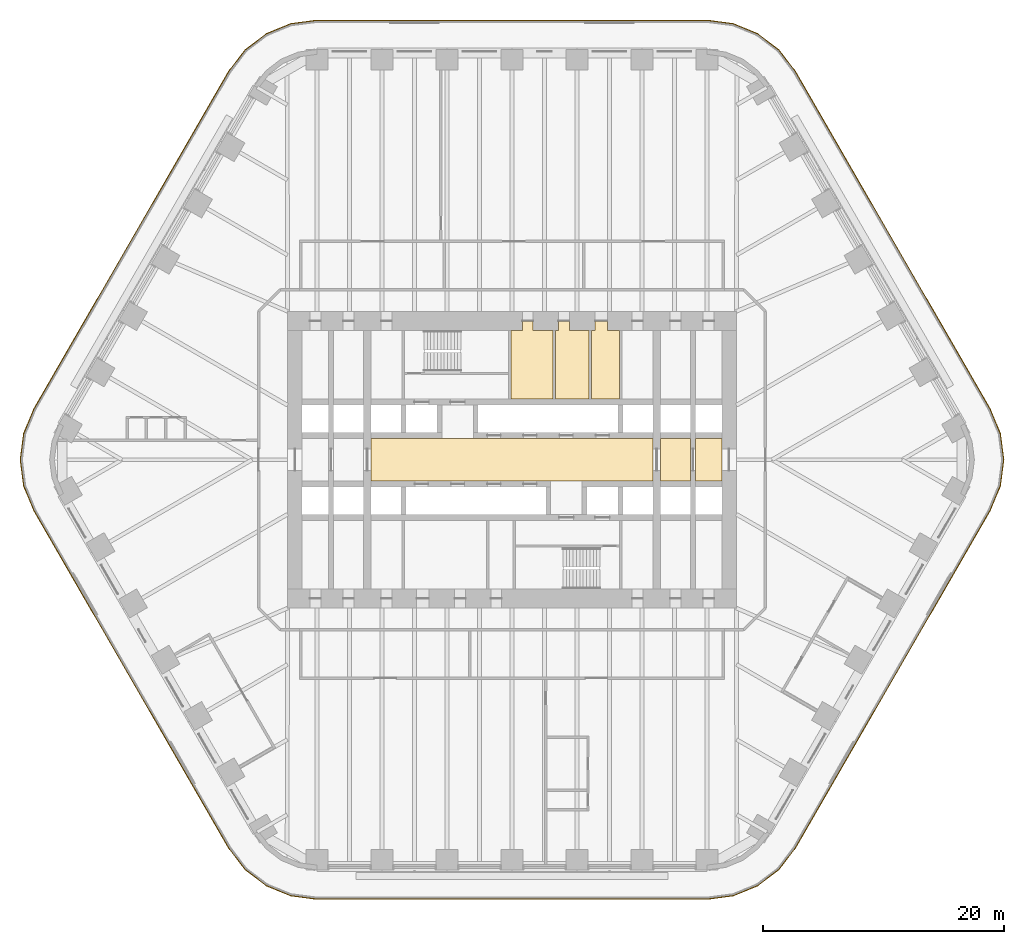
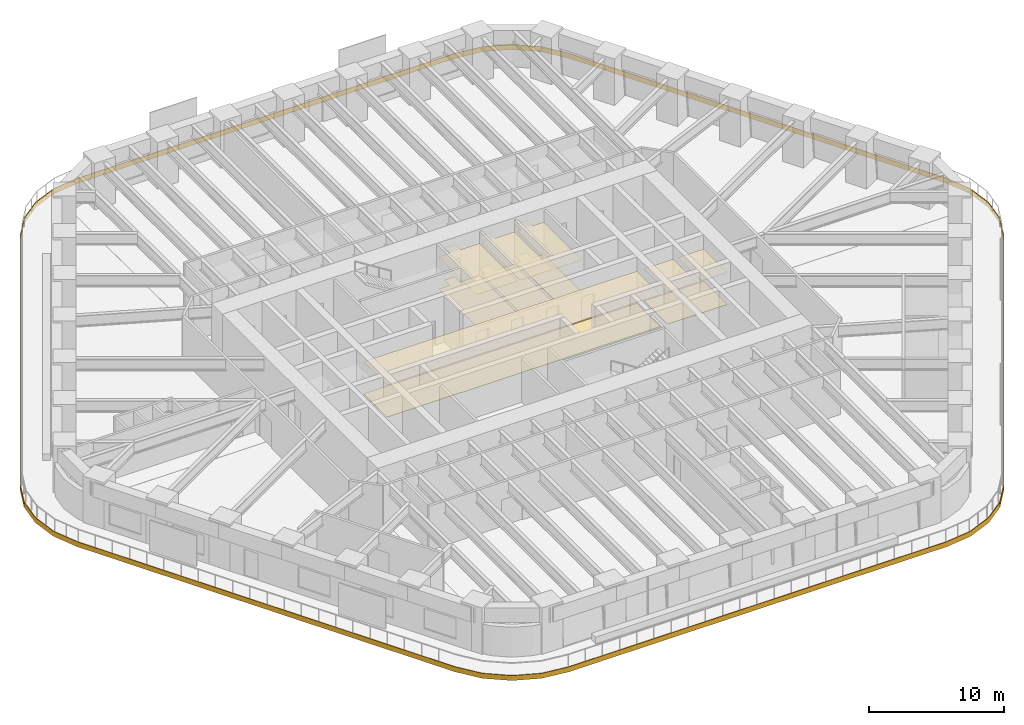
# One storey, part 22 of 23: 13 coverings.
"""IFC4 building model written with IfcOpenShell, lengths in metres."""

import ifcopenshell
import ifcopenshell.guid

model = None  # the IFC model being written
_history = None  # IfcOwnerHistory: only IFC2X3 demands one
_inside = {}  # id of a spatial element -> (the spatial element, [elements in it])
_under = {}  # id of a project, library or spatial element -> (it, [spatial elements below it])
_declared = {}  # id of a project -> (the project, [libraries it declares])
_typed = {}  # id of a type object -> (the type object, [elements of that type])
_made_of = {}  # id of a material, layer set ... -> (it, [elements and type objects made of it])


def new_model(schema):
    """Start an empty IFC model of exactly this schema.

    Asked for "IFC4X3", IfcOpenShell would pick the latest addendum, in which some entities
    have other attributes; the version numbers below select the first issue.
    IFC2X3 requires an IfcOwnerHistory on every rooted entity: one is made here for all.
    """
    global model, _history
    if schema == "IFC4X3":
        model = ifcopenshell.file(schema_version=(4, 3, 0, 0))
    else:
        model = ifcopenshell.file(schema=schema)
    _inside.clear()
    _under.clear()
    _declared.clear()
    _typed.clear()
    _made_of.clear()
    _history = None
    if model.schema == "IFC2X3":
        org = make("IfcOrganization", Name="unknown")
        user = make(
            "IfcPersonAndOrganization",
            ThePerson=make("IfcPerson", FamilyName="unknown"),
            TheOrganization=org,
        )
        app = make(
            "IfcApplication",
            ApplicationDeveloper=org,
            Version="unknown",
            ApplicationFullName="unknown",
            ApplicationIdentifier="unknown",
        )
        _history = make(
            "IfcOwnerHistory",
            OwningUser=user,
            OwningApplication=app,
            ChangeAction="ADDED",
            CreationDate=0,
        )
    return model


def make(cls, **values):
    """One entity of the class cls with the attributes given. An attribute that is None is left unset."""
    return model.create_entity(
        cls, **{name: value for name, value in values.items() if value is not None}
    )


def rooted(cls, **values):
    """An entity with a GlobalId (a new one), such as an element, a storey or a relation."""
    return make(cls, GlobalId=ifcopenshell.guid.new(), OwnerHistory=_history, **values)


def si_unit(unit_type, name, prefix=None):
    """IfcSIUnit, for example si_unit("LENGTHUNIT", "METRE", prefix="MILLI")."""
    return make("IfcSIUnit", UnitType=unit_type, Prefix=prefix, Name=name)


def assignment(units):
    """IfcUnitAssignment: the units of a project."""
    return None if units is None else make("IfcUnitAssignment", Units=units)


def point(xyz):
    """IfcCartesianPoint."""
    return None if xyz is None else make("IfcCartesianPoint", Coordinates=xyz)


def direction(xyz):
    """IfcDirection."""
    return None if xyz is None else make("IfcDirection", DirectionRatios=xyz)


def frame(location, z_axis=None, x_axis=None):
    """IfcAxis2Placement3D, a coordinate frame: its origin and axes. An axis left out is left unset."""
    return make(
        "IfcAxis2Placement3D",
        Location=point(location),
        Axis=direction(z_axis),
        RefDirection=direction(x_axis),
    )


def origin():
    """The frame at (0, 0, 0) with its axes left unset."""
    return frame((0.0, 0.0, 0.0))


def place(relative_to, where):
    """IfcLocalPlacement: puts the frame where relative to a parent placement (None: the world)."""
    return make(
        "IfcLocalPlacement", PlacementRelTo=relative_to, RelativePlacement=where
    )


def context(
    kind, dimensions, precision=None, world=None, true_north=None, identifier=None
):
    """IfcGeometricRepresentationContext, for example the 3D "Model" context."""
    return make(
        "IfcGeometricRepresentationContext",
        ContextIdentifier=identifier,
        ContextType=kind,
        CoordinateSpaceDimension=dimensions,
        Precision=precision,
        WorldCoordinateSystem=world,
        TrueNorth=true_north,
    )


def subcontext(parent, identifier, kind, view, scale=None):
    """IfcGeometricRepresentationSubContext, for example "Body" below "Model"."""
    return make(
        "IfcGeometricRepresentationSubContext",
        ContextIdentifier=identifier,
        ContextType=kind,
        ParentContext=parent,
        TargetScale=scale,
        TargetView=view,
    )


def project(units=None, contexts=None):
    """IfcProject with its units and contexts."""
    return rooted(
        "IfcProject",
        Name="project",
        RepresentationContexts=contexts,
        UnitsInContext=assignment(units),
    )


def spatial(cls, under=None, at=None, **own):
    """A site, building, storey or space (cls), placed at a placement, below another one or the project."""
    s = rooted(cls, ObjectPlacement=at, **own)
    if under is not None:
        _under.setdefault(under.id(), (under, []))[1].append(s)
    return s


def polyline(points):
    """IfcPolyline through the points."""
    return make("IfcPolyline", Points=[point(p) for p in points])


def outline(outer, holes=None, kind="AREA"):
    """IfcArbitraryClosedProfileDef: a profile drawn as a closed curve; with holes, ...WithVoids."""
    if holes is None:
        return make("IfcArbitraryClosedProfileDef", ProfileType=kind, OuterCurve=outer)
    return make(
        "IfcArbitraryProfileDefWithVoids",
        ProfileType=kind,
        OuterCurve=outer,
        InnerCurves=holes,
    )


def extrude(swept, where, along, depth):
    """IfcExtrudedAreaSolid: the profile swept, set in the frame where, extruded along a direction by depth."""
    return make(
        "IfcExtrudedAreaSolid",
        SweptArea=swept,
        Position=where,
        ExtrudedDirection=direction(along),
        Depth=depth,
    )


def shape(context_of_items, identifier, shape_type, items):
    """IfcShapeRepresentation: the items that make up one representation, for example the "Body"."""
    return make(
        "IfcShapeRepresentation",
        ContextOfItems=context_of_items,
        RepresentationIdentifier=identifier,
        RepresentationType=shape_type,
        Items=items,
    )


def material(Name=None, Category=None):
    """IfcMaterial."""
    return make("IfcMaterial", Name=Name, Category=Category)


def layer(
    of_material, thickness, ventilated=None, Name=None, Category=None, Priority=None
):
    """IfcMaterialLayer: one layer of a wall or slab, of a material (None: an air gap)."""
    return make(
        "IfcMaterialLayer",
        Material=of_material,
        LayerThickness=thickness,
        IsVentilated=ventilated,
        Name=Name,
        Category=Category,
        Priority=Priority,
    )


def layer_set(layers, Name=None):
    """IfcMaterialLayerSet."""
    return make("IfcMaterialLayerSet", MaterialLayers=layers, LayerSetName=Name)


def made_of(thing, what):
    """Note that an element or type object is made of a material, layer set ...; save() writes the relation."""
    if what is not None:
        _made_of.setdefault(what.id(), (what, []))[1].append(thing)
    return thing


def type_object(cls, material=None, **own):
    """A type object (cls), such as IfcWallType, which elements share."""
    return made_of(rooted(cls, **own), material)


def element(
    cls,
    number,
    at=None,
    inside=None,
    cuts=None,
    type_object=None,
    material=None,
    context=None,
    identifier="Body",
    shape_type=None,
    held_by="IfcProductDefinitionShape",
    body=None,
    shapes=None,
    **own,
):
    """One element of the class cls, such as IfcWall. Its Tag is "e" and its number.

    at: its placement. inside: the storey or other place that contains it. cuts: it is an
    opening in that element (IfcRelVoidsElement). A single representation is given by context,
    identifier, shape_type and body (its items); several are given by shapes. held_by: the class
    of the entity that holds the representations. save() writes the other relations.
    """
    e = rooted(cls, Tag="e%d" % number, ObjectPlacement=at, **own)
    if body is not None:
        shapes = [shape(context, identifier, shape_type, body)]
    if shapes is not None:
        e.Representation = make(held_by, Representations=shapes)
    if inside is not None:
        _inside.setdefault(inside.id(), (inside, []))[1].append(e)
    if cuts is not None:
        rooted(
            "IfcRelVoidsElement", RelatingBuildingElement=cuts, RelatedOpeningElement=e
        )
    if type_object is not None:
        _typed.setdefault(type_object.id(), (type_object, []))[1].append(e)
    return made_of(e, material)


def aggregate(whole, parts):
    """IfcRelAggregates: a whole, such as a stair, and the parts it consists of."""
    return rooted("IfcRelAggregates", RelatingObject=whole, RelatedObjects=parts)


def save(model, path):
    """Write the relations noted so far, then the file.

    IfcRelAggregates (storeys below a building ...), IfcRelContainedInSpatialStructure (elements
    in a storey), IfcRelDefinesByType, IfcRelAssociatesMaterial and IfcRelDeclares: one each for
    every whole, place, type object, material and project.
    """
    for whole, parts in _under.values():
        aggregate(whole, parts)
    for where, things in _inside.values():
        rooted(
            "IfcRelContainedInSpatialStructure",
            RelatedElements=things,
            RelatingStructure=where,
        )
    for kind, things in _typed.values():
        rooted("IfcRelDefinesByType", RelatedObjects=things, RelatingType=kind)
    for what, things in _made_of.values():
        rooted("IfcRelAssociatesMaterial", RelatedObjects=things, RelatingMaterial=what)
    for by, libraries in _declared.values():
        rooted("IfcRelDeclares", RelatingContext=by, RelatedDefinitions=libraries)
    model.write(path)


model = new_model("IFC4")

# Units and contexts
model_context = context("Model", 3, precision=1e-05, world=origin(), true_north=direction((0.0, 1.0)))
body_context = subcontext(model_context, "Body", "Model", "MODEL_VIEW")
ifc_project = project(units=[si_unit("LENGTHUNIT", "METRE"), si_unit("AREAUNIT", "SQUARE_METRE"), si_unit("VOLUMEUNIT", "CUBIC_METRE"), si_unit("PLANEANGLEUNIT", "RADIAN"), si_unit("MASSUNIT", "GRAM", prefix="KILO")], contexts=[model_context])

# Site, building, storey
site_placement = place(None, origin())
site = spatial("IfcSite", under=ifc_project, at=site_placement, CompositionType="ELEMENT")
building_placement = place(site_placement, origin())
building = spatial("IfcBuilding", under=site, at=building_placement, Name="Tarfa Lantern Tower", CompositionType="ELEMENT")
storey_placement = place(building_placement, frame((0.0, 0.0, 86.5)))
storey = spatial("IfcBuildingStorey", under=building, at=storey_placement, Name="L19", CompositionType="ELEMENT", Elevation=86.5)

# Coverings
ifc_material_1 = material(Name="Moisture-resistant plasterboard", Category="finish")
ifc_layer_1 = layer(ifc_material_1, 0.014892578125)
ifc_layer_set_1 = layer_set([ifc_layer_1], Name="CL2 MOISTURE-RESISTANT PLASTERBOARD CEILING 15")
covering_type_1 = type_object("IfcCoveringType", Name="CL2 MOISTURE-RESISTANT PLASTERBOARD CEILING 15", PredefinedType="CEILING", material=ifc_layer_set_1)
covering_1_placement = place(storey_placement, frame((0.0, 0.0, 2.89990234375)))
element("IfcCovering", 1, at=covering_1_placement, inside=storey, type_object=covering_type_1, Name="Ceiling L19-09", PredefinedType="CEILING", context=body_context, shape_type="SweptSolid", body=[
    extrude(outline(polyline([(0.85009765625, 10.699951171875), (-0.10009765625, 10.699951171875), (-0.10009765625, 5.050048828125), (3.39990234375, 5.050048828125), (3.39990234375, 10.699951171875), (1.75, 10.699951171875), (1.75, 11.5), (0.85009765625, 11.5), (0.85009765625, 11.5), (0.85009765625, 10.699951171875)])), origin(), (0.0, 0.0, 1.0), 0.01513671875),
])
covering_2_placement = place(storey_placement, frame((0.0, 0.0, 2.89990234375)))
element("IfcCovering", 2, at=covering_2_placement, inside=storey, type_object=covering_type_1, Name="Ceiling L19-10", PredefinedType="CEILING", context=body_context, shape_type="SweptSolid", body=[
    extrude(outline(polyline([(3.60009765625, 5.050048828125), (6.39990234375, 5.050048828125), (6.39990234375, 10.699951171875), (4.75, 10.699951171875), (4.75, 11.5), (3.85009765625, 11.5), (3.85009765625, 10.699951171875), (3.60009765625, 10.699951171875), (3.60009765625, 5.050048828125)])), origin(), (0.0, 0.0, 1.0), 0.01513671875),
])
covering_3_placement = place(storey_placement, frame((0.0, 0.0, 2.89990234375)))
element("IfcCovering", 3, at=covering_3_placement, inside=storey, type_object=covering_type_1, Name="Ceiling L19-11", PredefinedType="CEILING", context=body_context, shape_type="SweptSolid", body=[
    extrude(outline(polyline([(6.60009765625, 5.050048828125), (8.89990234375, 5.050048828125), (8.89990234375, 10.699951171875), (7.89990234375, 10.699951171875), (7.89990234375, 11.5), (6.89990234375, 11.5), (6.89990234375, 10.699951171875), (6.60009765625, 10.699951171875), (6.60009765625, 5.050048828125)])), origin(), (0.0, 0.0, 1.0), 0.01513671875),
])
ifc_material_2 = material(Name="Powder-coated aluminium panel", Category="aluminium")
ifc_layer_2 = layer(ifc_material_2, 0.030029296875)
ifc_layer_set_2 = layer_set([ifc_layer_2], Name="CL3 METAL PANEL CEILING 30")
covering_type_2 = type_object("IfcCoveringType", Name="CL3 METAL PANEL CEILING 30", PredefinedType="CEILING", material=ifc_layer_set_2)
covering_4_placement = place(storey_placement, frame((0.0, 0.0, 2.89990234375)))
element("IfcCovering", 4, at=covering_4_placement, inside=storey, type_object=covering_type_2, Name="Ceiling L19-03", PredefinedType="CEILING", context=body_context, shape_type="SweptSolid", body=[
    extrude(outline(polyline([(-11.699951171875, -1.75), (11.699951171875, -1.75), (11.699951171875, 1.75), (-11.699951171875, 1.75), (-11.699951171875, -1.75)])), origin(), (0.0, 0.0, 1.0), 0.030029296875),
])
covering_5_placement = place(storey_placement, frame((0.0, 0.0, 2.89990234375)))
element("IfcCovering", 5, at=covering_5_placement, inside=storey, type_object=covering_type_2, Name="Ceiling L19-04", PredefinedType="CEILING", context=body_context, shape_type="SweptSolid", body=[
    extrude(outline(polyline([(12.300048828125, -1.75), (14.800048828125, -1.75), (14.800048828125, 1.75), (12.300048828125, 1.75), (12.300048828125, -1.75)])), origin(), (0.0, 0.0, 1.0), 0.030029296875),
])
covering_6_placement = place(storey_placement, frame((0.0, 0.0, 2.89990234375)))
element("IfcCovering", 6, at=covering_6_placement, inside=storey, type_object=covering_type_2, Name="Ceiling L19-05", PredefinedType="CEILING", context=body_context, shape_type="SweptSolid", body=[
    extrude(outline(polyline([(15.199951171875, -1.75), (17.39990234375, -1.75), (17.39990234375, 1.75), (15.199951171875, 1.75), (15.199951171875, -1.75)])), origin(), (0.0, 0.0, 1.0), 0.030029296875),
])
ifc_material_3 = material(Name="Honed limestone flooring", Category="masonry")
ifc_layer_3 = layer(ifc_material_3, 0.030029296875)
ifc_layer_set_3 = layer_set([ifc_layer_3], Name="FL2 STONE FLOORING 30")
covering_type_3 = type_object("IfcCoveringType", Name="FL2 STONE FLOORING 30", PredefinedType="FLOORING", material=ifc_layer_set_3)
covering_7_placement = place(storey_placement, origin())
element("IfcCovering", 7, at=covering_7_placement, inside=storey, type_object=covering_type_3, Name="Floor finish L19-03", PredefinedType="FLOORING", context=body_context, shape_type="SweptSolid", body=[
    extrude(outline(polyline([(-11.699951171875, -1.75), (11.699951171875, -1.75), (11.699951171875, 1.75), (-11.699951171875, 1.75), (-11.699951171875, -1.75)])), origin(), (0.0, 0.0, 1.0), 0.030029296875),
])
covering_8_placement = place(storey_placement, origin())
element("IfcCovering", 8, at=covering_8_placement, inside=storey, type_object=covering_type_3, Name="Floor finish L19-04", PredefinedType="FLOORING", context=body_context, shape_type="SweptSolid", body=[
    extrude(outline(polyline([(12.300048828125, -1.75), (14.800048828125, -1.75), (14.800048828125, 1.75), (12.300048828125, 1.75), (12.300048828125, -1.75)])), origin(), (0.0, 0.0, 1.0), 0.030029296875),
])
covering_9_placement = place(storey_placement, origin())
element("IfcCovering", 9, at=covering_9_placement, inside=storey, type_object=covering_type_3, Name="Floor finish L19-05", PredefinedType="FLOORING", context=body_context, shape_type="SweptSolid", body=[
    extrude(outline(polyline([(15.199951171875, -1.75), (17.39990234375, -1.75), (17.39990234375, 1.75), (15.199951171875, 1.75), (15.199951171875, -1.75)])), origin(), (0.0, 0.0, 1.0), 0.030029296875),
])
ifc_material_4 = material(Name="Porcelain floor tile", Category="finish")
ifc_layer_4 = layer(ifc_material_4, 0.011962890625)
ifc_layer_set_4 = layer_set([ifc_layer_4], Name="FL3 CERAMIC TILE 12")
covering_type_4 = type_object("IfcCoveringType", Name="FL3 CERAMIC TILE 12", PredefinedType="FLOORING", material=ifc_layer_set_4)
covering_10_placement = place(storey_placement, origin())
element("IfcCovering", 10, at=covering_10_placement, inside=storey, type_object=covering_type_4, Name="Floor finish L19-09", PredefinedType="FLOORING", context=body_context, shape_type="SweptSolid", body=[
    extrude(outline(polyline([(0.85009765625, 10.699951171875), (-0.10009765625, 10.699951171875), (-0.10009765625, 5.050048828125), (3.39990234375, 5.050048828125), (3.39990234375, 10.699951171875), (1.75, 10.699951171875), (1.75, 11.5), (0.85009765625, 11.5), (0.85009765625, 11.5), (0.85009765625, 10.699951171875)])), origin(), (0.0, 0.0, 1.0), 0.011962890625),
])
covering_11_placement = place(storey_placement, origin())
element("IfcCovering", 11, at=covering_11_placement, inside=storey, type_object=covering_type_4, Name="Floor finish L19-10", PredefinedType="FLOORING", context=body_context, shape_type="SweptSolid", body=[
    extrude(outline(polyline([(3.60009765625, 5.050048828125), (6.39990234375, 5.050048828125), (6.39990234375, 10.699951171875), (4.75, 10.699951171875), (4.75, 11.5), (3.85009765625, 11.5), (3.85009765625, 10.699951171875), (3.60009765625, 10.699951171875), (3.60009765625, 5.050048828125)])), origin(), (0.0, 0.0, 1.0), 0.011962890625),
])
covering_12_placement = place(storey_placement, origin())
element("IfcCovering", 12, at=covering_12_placement, inside=storey, type_object=covering_type_4, Name="Floor finish L19-11", PredefinedType="FLOORING", context=body_context, shape_type="SweptSolid", body=[
    extrude(outline(polyline([(6.60009765625, 5.050048828125), (8.89990234375, 5.050048828125), (8.89990234375, 10.699951171875), (7.89990234375, 10.699951171875), (7.89990234375, 11.5), (6.89990234375, 11.5), (6.89990234375, 10.699951171875), (6.60009765625, 10.699951171875), (6.60009765625, 5.050048828125)])), origin(), (0.0, 0.0, 1.0), 0.011962890625),
])
ifc_material_5 = material(Name="Limestone cladding on brackets", Category="masonry")
ifc_layer_5 = layer(ifc_material_5, 0.050048828125)
ifc_layer_set_5 = layer_set([ifc_layer_5], Name="SB1 STONE BAND CLADDING 50")
covering_type_5 = type_object("IfcCoveringType", Name="SB1 STONE BAND CLADDING 50", PredefinedType="CLADDING", material=ifc_layer_set_5)
covering_13_placement = place(storey_placement, frame((0.0, 0.0, -0.39990234375)))
element("IfcCovering", 13, at=covering_13_placement, inside=storey, type_object=covering_type_5, Name="Stone band", PredefinedType="CLADDING", context=body_context, shape_type="SweptSolid", body=[
    extrude(outline(polyline([(39.6494140625, 4.22509765625), (23.483642578125, 32.22509765625), (22.140869140625, 33.97509765625), (20.390869140625, 35.31787109375), (18.352783203125, 36.162109375), (16.165771484375, 36.449951171875), (-16.165771484375, 36.449951171875), (-18.352783203125, 36.162109375), (-20.390869140625, 35.31787109375), (-22.140869140625, 33.97509765625), (-23.483642578125, 32.22509765625), (-39.6494140625, 4.22509765625), (-40.49365234375, 2.18701171875), (-40.781494140625, 0.0), (-40.49365234375, -2.18701171875), (-39.6494140625, -4.22509765625), (-23.483642578125, -32.22509765625), (-22.140869140625, -33.97509765625), (-20.390869140625, -35.31787109375), (-18.352783203125, -36.162109375), (-16.165771484375, -36.449951171875), (16.165771484375, -36.449951171875), (18.352783203125, -36.162109375), (20.390869140625, -35.31787109375), (22.140869140625, -33.97509765625), (23.483642578125, -32.22509765625), (39.6494140625, -4.22509765625), (40.49365234375, -2.18701171875), (40.781494140625, 0.0), (40.49365234375, 2.18701171875), (39.6494140625, 4.22509765625)]), holes=[polyline([(39.606201171875, 4.199951171875), (23.4404296875, 32.199951171875), (22.10546875, 33.939697265625), (20.36572265625, 35.274658203125), (18.33984375, 36.11376953125), (16.165771484375, 36.39990234375), (-16.165771484375, 36.39990234375), (-18.33984375, 36.11376953125), (-20.36572265625, 35.274658203125), (-22.10546875, 33.939697265625), (-23.4404296875, 32.199951171875), (-39.606201171875, 4.199951171875), (-40.4453125, 2.174072265625), (-40.731689453125, 0.0), (-40.4453125, -2.174072265625), (-39.606201171875, -4.199951171875), (-23.4404296875, -32.199951171875), (-22.10546875, -33.939697265625), (-20.36572265625, -35.274658203125), (-18.33984375, -36.11376953125), (-16.165771484375, -36.39990234375), (16.165771484375, -36.39990234375), (18.33984375, -36.11376953125), (20.36572265625, -35.274658203125), (22.10546875, -33.939697265625), (23.4404296875, -32.199951171875), (39.606201171875, -4.199951171875), (40.4453125, -2.174072265625), (40.731689453125, 0.0), (40.4453125, 2.174072265625), (39.606201171875, 4.199951171875)])]), origin(), (0.0, 0.0, 1.0), 0.449951171875),
])

save(model, "model.ifc")
